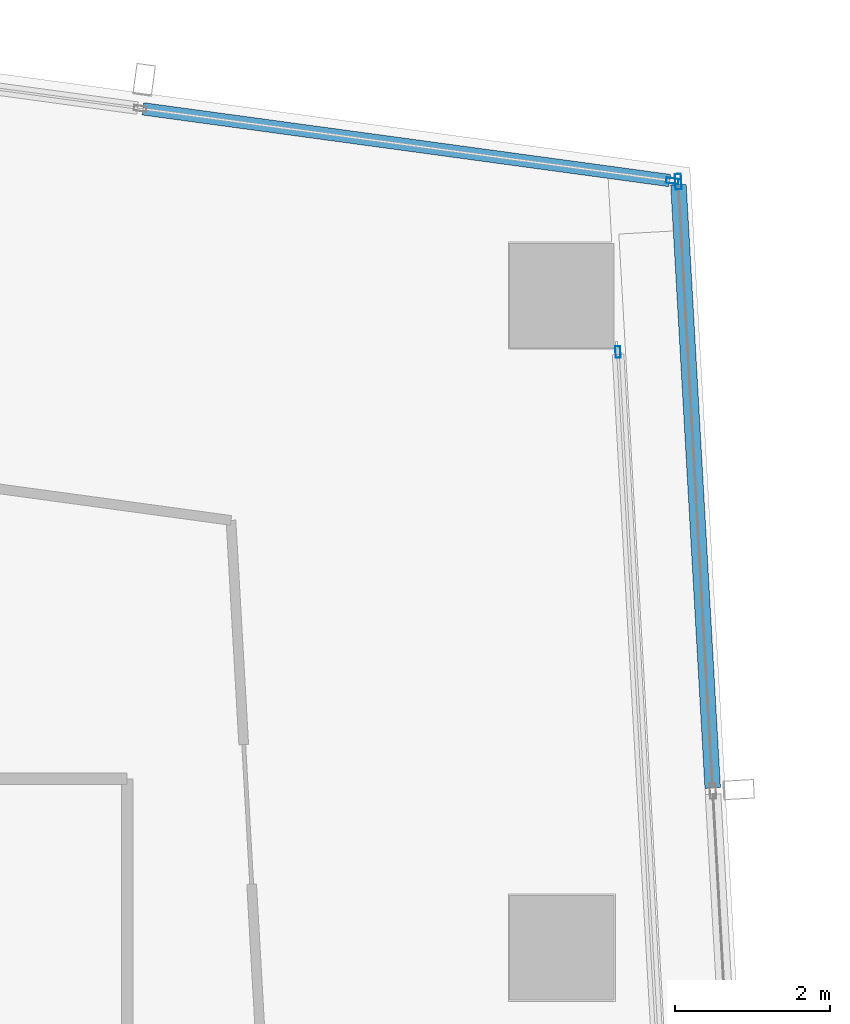
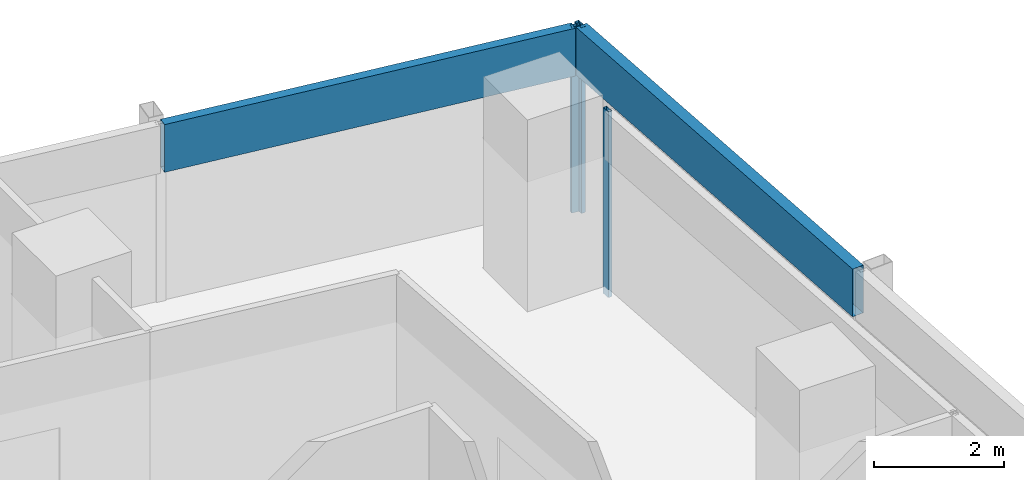
# One storey, part 21 of 35: 5 members, 3 elements without a shape of their own.
"""IFC4 building model written with IfcOpenShell, lengths in metres."""

from ifc_helpers import new_model, si_unit, direction, frame, origin, origin_2d, place, context, subcontext, project, spatial, hollow_rectangle, extrude, material, material_profile, profile_set, type_object, element, aggregate, save


model = new_model("IFC4")

# Units and contexts
model_context = context("Model", 3, precision=1e-05, world=origin(), true_north=direction((0.0, 1.0)))
body_context = subcontext(model_context, "Body", "Model", "MODEL_VIEW")
ifc_project = project(units=[si_unit("LENGTHUNIT", "METRE"), si_unit("AREAUNIT", "SQUARE_METRE"), si_unit("VOLUMEUNIT", "CUBIC_METRE"), si_unit("PLANEANGLEUNIT", "RADIAN"), si_unit("MASSUNIT", "GRAM", prefix="KILO")], contexts=[model_context])

# Site, building, storey
site_placement = place(None, origin())
site = spatial("IfcSite", under=ifc_project, at=site_placement, CompositionType="ELEMENT")
building_placement = place(site_placement, origin())
building = spatial("IfcBuilding", under=site, at=building_placement, Name="Rekha Terrace Tower", CompositionType="ELEMENT")
storey_placement = place(building_placement, frame((0.0, 0.0, 191.449951171875)))
storey = spatial("IfcBuildingStorey", under=building, at=storey_placement, Name="L48", CompositionType="ELEMENT", Elevation=191.449951171875)

# Curtain wall, member
ifc_material_1 = material(Name="Aluminium framing", Category="aluminium")
curtain_wall_type_1 = type_object("IfcCurtainWallType", Name="CW1 double skin inner glazing", PredefinedType="USERDEFINED", material=ifc_material_1)
curtain_wall_1_placement = place(storey_placement, origin())
curtain_wall_1 = element("IfcCurtainWall", 1, at=curtain_wall_1_placement, inside=storey, type_object=curtain_wall_type_1, Name="CW1 double skin inner glazing", ObjectType="DOUBLE SKIN INNER GLAZING", PredefinedType="USERDEFINED")
ifc_material_2 = material(Name="Aluminium mullion section", Category="aluminium")
ifc_material_profile_1 = material_profile(ifc_material_2, hollow_rectangle(XDim=0.06494140625, YDim=0.14990234375, WallThickness=0.00390625, at=origin_2d()), Name="AL RHS 65x150")
ifc_profile_set_1 = profile_set([ifc_material_profile_1], Name="Aluminium mullion section")
member_type_1 = type_object("IfcMemberType", Name="CW1 mullion RHS 65 x 150", PredefinedType="MULLION", material=ifc_profile_set_1)
member_1_placement = place(storey_placement, frame((59.523193359375, 58.0751953125, 0.0), z_axis=(0.0, 0.0, 1.0), x_axis=(-0.998392782919, -0.05667319486, 0.0)))
member_1 = element("IfcMember", 2, at=member_1_placement, type_object=member_type_1, Name="CW1 mullion 4", PredefinedType="MULLION", context=body_context, shape_type="SweptSolid", body=[
    extrude(hollow_rectangle(XDim=0.06494140625, YDim=0.14990234375, WallThickness=0.00390625, at=origin_2d()), origin(), (0.0, 0.0, 1.0), 3.5),
])
aggregate(curtain_wall_1, [member_1])

# Curtain wall, members
curtain_wall_type_2 = type_object("IfcCurtainWallType", Name="CW2 double skin outer glazing", PredefinedType="USERDEFINED", material=ifc_material_1)
curtain_wall_2_placement = place(storey_placement, origin())
curtain_wall_2 = element("IfcCurtainWall", 3, at=curtain_wall_2_placement, inside=storey, type_object=curtain_wall_type_2, Name="CW2 double skin outer glazing", ObjectType="DOUBLE SKIN OUTER GLAZING", PredefinedType="USERDEFINED")
ifc_material_profile_2 = material_profile(ifc_material_2, hollow_rectangle(XDim=0.080078125, YDim=0.199951171875, WallThickness=0.00390625, at=origin_2d()), Name="AL RHS 80x200")
ifc_profile_set_2 = profile_set([ifc_material_profile_2], Name="Aluminium mullion section")
member_type_2 = type_object("IfcMemberType", Name="CW2 mullion RHS 80 x 200", PredefinedType="MULLION", material=ifc_profile_set_2)
member_2_placement = place(storey_placement, frame((60.300048828125, 60.269287109375, 0.0), z_axis=(0.0, 0.0, 1.0), x_axis=(-0.998392782919, -0.05667319486, 0.0)))
member_2 = element("IfcMember", 4, at=member_2_placement, type_object=member_type_2, Name="CW2 mullion 5", PredefinedType="MULLION", context=body_context, shape_type="SweptSolid", body=[
    extrude(hollow_rectangle(XDim=0.080078125, YDim=0.199951171875, WallThickness=0.00390625, at=origin_2d()), origin(), (0.0, 0.0, 1.0), 3.5),
])
ifc_material_3 = material(Name="Insulated aluminium spandrel box", Category="aluminium")
ifc_material_profile_3 = material_profile(ifc_material_3, hollow_rectangle(XDim=0.199951171875, YDim=0.89990234375, WallThickness=0.0029296875, at=origin_2d()), Name="AL SPANDREL BOX 200x900")
ifc_profile_set_3 = profile_set([ifc_material_profile_3], Name="Insulated aluminium spandrel box")
member_type_3 = type_object("IfcMemberType", Name="CW2 spandrel transom 200 x 900", PredefinedType="USERDEFINED", material=ifc_profile_set_3)
member_3_placement = place(storey_placement, frame((60.743408203125, 52.45849609375, 3.050048828125), z_axis=(-0.05667908121, 0.998392448766, 0.0), x_axis=(-0.998392448766, -0.05667908121, 0.0)))
member_3 = element("IfcMember", 5, at=member_3_placement, type_object=member_type_3, Name="CW2 spandrel transom 4", ObjectType="TRANSOM", PredefinedType="USERDEFINED", context=body_context, shape_type="SweptSolid", body=[
    extrude(hollow_rectangle(XDim=0.199951171875, YDim=0.89990234375, WallThickness=0.0029296875, at=origin_2d()), origin(), (0.0, 0.0, 1.0), 7.783447265625),
])
aggregate(curtain_wall_2, [member_2, member_3])

curtain_wall_type_3 = type_object("IfcCurtainWallType", Name="CW3 north unitised glazing", PredefinedType="USERDEFINED", material=ifc_material_1)
curtain_wall_3_placement = place(storey_placement, origin())
curtain_wall_3 = element("IfcCurtainWall", 6, at=curtain_wall_3_placement, inside=storey, type_object=curtain_wall_type_3, Name="CW3 unitised curtain wall", ObjectType="UNITISED CURTAIN WALL", PredefinedType="USERDEFINED")
ifc_material_profile_4 = material_profile(ifc_material_2, hollow_rectangle(XDim=0.070068359375, YDim=0.159912109375, WallThickness=0.00390625, at=origin_2d()), Name="AL RHS 70x160")
ifc_profile_set_4 = profile_set([ifc_material_profile_4], Name="Aluminium mullion section")
member_type_4 = type_object("IfcMemberType", Name="CW3 mullion RHS 70 x 160", PredefinedType="MULLION", material=ifc_profile_set_4)
member_4_placement = place(storey_placement, frame((60.22509765625, 60.27880859375, 0.0), z_axis=(0.0, 0.0, 1.0), x_axis=(-0.134840840416, -0.990867270504, 0.0)))
member_4 = element("IfcMember", 7, at=member_4_placement, type_object=member_type_4, Name="CW3 mullion 1", PredefinedType="MULLION", context=body_context, shape_type="SweptSolid", body=[
    extrude(hollow_rectangle(XDim=0.070068359375, YDim=0.159912109375, WallThickness=0.00390625, at=origin_2d()), origin(), (0.0, 0.0, 1.0), 3.5),
])
ifc_material_profile_5 = material_profile(ifc_material_3, hollow_rectangle(XDim=0.159912109375, YDim=0.89990234375, WallThickness=0.0029296875, at=origin_2d()), Name="AL SPANDREL BOX 160x900")
ifc_profile_set_5 = profile_set([ifc_material_profile_5], Name="Insulated aluminium spandrel box")
member_type_5 = type_object("IfcMemberType", Name="CW3 spandrel transom 160 x 900", PredefinedType="USERDEFINED", material=ifc_profile_set_5)
member_5_placement = place(storey_placement, frame((60.190185546875, 60.283447265625, 3.050048828125), z_axis=(-0.990865276141, 0.134855495022, 0.0), x_axis=(-0.134855495022, -0.990865276141, 0.0)))
member_5 = element("IfcMember", 8, at=member_5_placement, type_object=member_type_5, Name="CW3 spandrel transom 1", ObjectType="TRANSOM", PredefinedType="USERDEFINED", context=body_context, shape_type="SweptSolid", body=[
    extrude(hollow_rectangle(XDim=0.159912109375, YDim=0.89990234375, WallThickness=0.0029296875, at=origin_2d()), origin(), (0.0, 0.0, 1.0), 6.8486328125),
])
aggregate(curtain_wall_3, [member_4, member_5])

save(model, "model.ifc")
